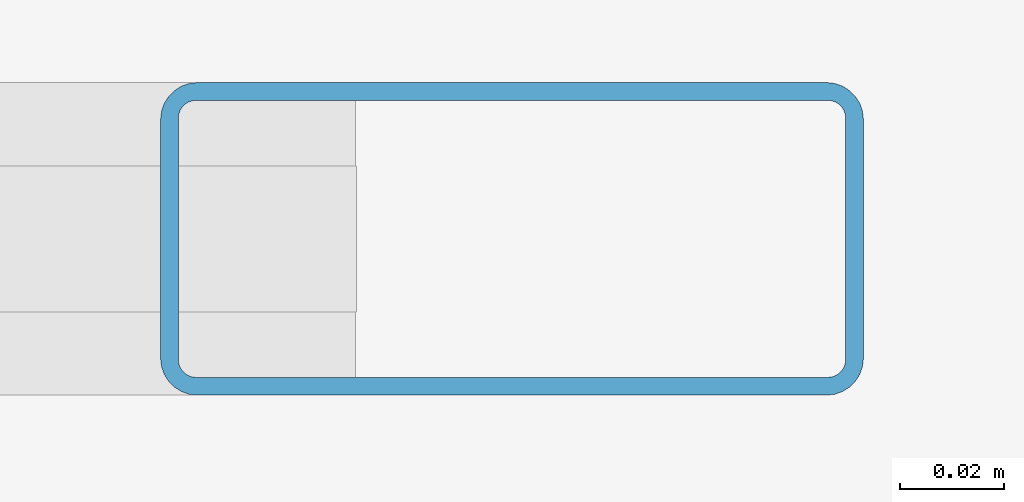
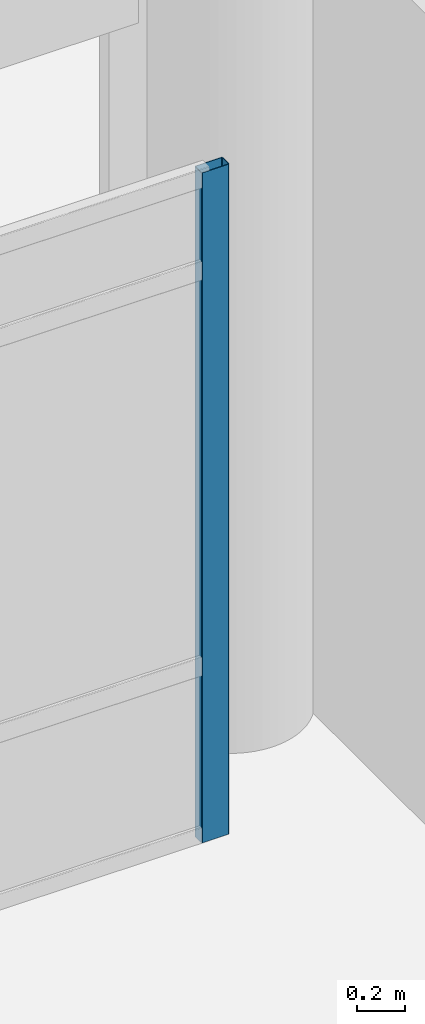
# One storey, part 140 of 196: 1 member, 1 element without a shape of its own.
"""IFC4 building model written with IfcOpenShell, lengths in metres."""

from ifc_helpers import new_model, si_unit, direction, frame, origin, origin_2d, place, context, subcontext, project, spatial, hollow_rectangle, extrude, material, layer, layer_set, material_profile, profile_set, type_object, element, aggregate, save


model = new_model("IFC4")

# Units and contexts
model_context = context("Model", 3, precision=1e-05, world=origin(), true_north=direction((0.0, 1.0)))
body_context = subcontext(model_context, "Body", "Model", "MODEL_VIEW")
ifc_project = project(units=[si_unit("LENGTHUNIT", "METRE"), si_unit("AREAUNIT", "SQUARE_METRE"), si_unit("VOLUMEUNIT", "CUBIC_METRE"), si_unit("PLANEANGLEUNIT", "RADIAN"), si_unit("MASSUNIT", "GRAM", prefix="KILO")], contexts=[model_context])

# Site, building, storey
site_placement = place(None, origin())
site = spatial("IfcSite", under=ifc_project, at=site_placement, CompositionType="ELEMENT")
building_placement = place(site_placement, origin())
building = spatial("IfcBuilding", under=site, at=building_placement, Name="Asteropetra Specialist Clinic", CompositionType="ELEMENT")
storey_placement = place(building_placement, origin())
storey = spatial("IfcBuildingStorey", under=building, at=storey_placement, Name="L00", CompositionType="ELEMENT", Elevation=0.0)

# Curtain wall, member
ifc_material_1 = material(Name="Aluminium and low-E glass", Category="aluminium")
ifc_layer = layer(ifc_material_1, 0.14990234375)
ifc_layer_set = layer_set([ifc_layer], Name="Aluminium and low-E glass")
curtain_wall_type = type_object("IfcCurtainWallType", Name="CW-SYS-11", PredefinedType="USERDEFINED", material=ifc_layer_set)
curtain_wall_placement = place(storey_placement, origin())
curtain_wall = element("IfcCurtainWall", 1, at=curtain_wall_placement, inside=storey, type_object=curtain_wall_type, Name="Curtain Wall CW-212", ObjectType="STICK GLAZED COLONNADE", PredefinedType="USERDEFINED")
ifc_material_2 = material(Name="Aluminium 6063-T6", Category="aluminium")
ifc_material_profile = material_profile(ifc_material_2, hollow_rectangle(XDim=0.06005859375, YDim=0.135009765625, WallThickness=0.00341796875, InnerFilletRadius=0.00341796875, OuterFilletRadius=0.007080078125, at=origin_2d()), Name="MUL 135x60x3.5")
ifc_profile_set = profile_set([ifc_material_profile], Name="Aluminium 6063-T6")
member_type = type_object("IfcMemberType", Name="CWM-135x60", PredefinedType="MULLION", material=ifc_profile_set)
member_placement = place(storey_placement, frame((143.4599609375, 104.820068359375, 0.0), z_axis=(0.0, 0.0, 1.0), x_axis=(0.0, -1.0, 0.0)))
member = element("IfcMember", 2, at=member_placement, type_object=member_type, Name="CW-212 mullion 1", PredefinedType="MULLION", context=body_context, shape_type="SweptSolid", body=[
    extrude(hollow_rectangle(XDim=0.06005859375, YDim=0.135009765625, WallThickness=0.00341796875, InnerFilletRadius=0.00341796875, OuterFilletRadius=0.007080078125, at=origin_2d()), origin(), (0.0, 0.0, 1.0), 3.419921875),
])
aggregate(curtain_wall, [member])

save(model, "model.ifc")
